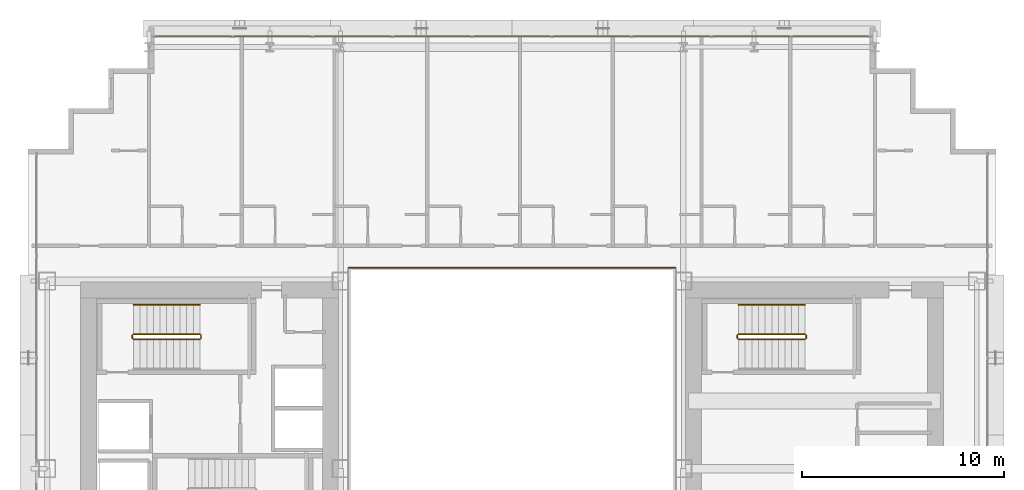
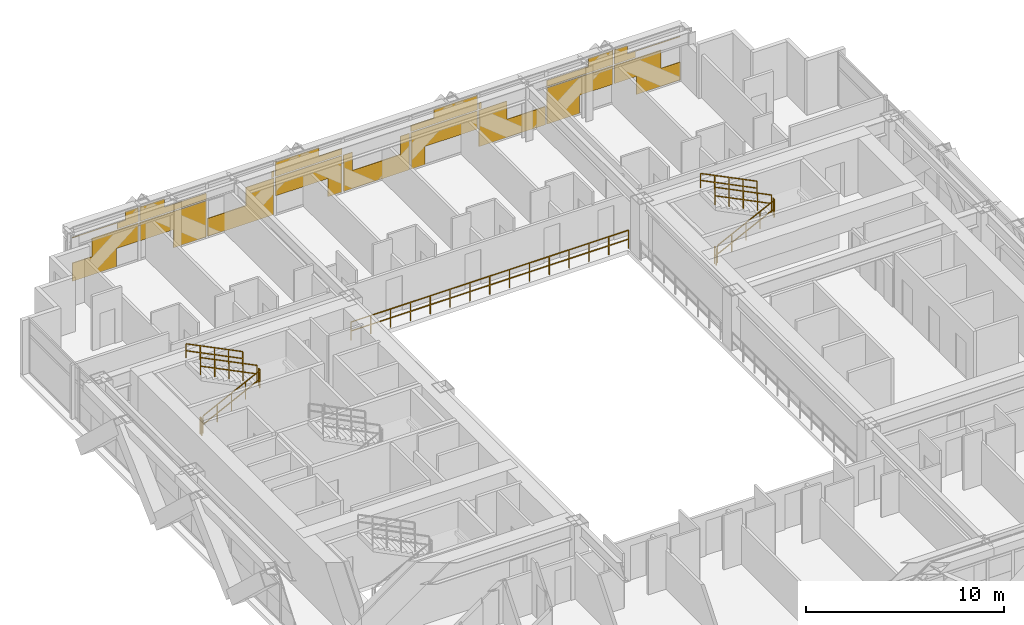
# One storey, part 36 of 36: 11 railings, 1 covering.
"""IFC4 building model written with IfcOpenShell, lengths in metres."""

from ifc_helpers import new_model, si_unit, direction, frame, origin, origin_2d, place, context, subcontext, project, spatial, rectangle, extrude, material, layer, layer_set, type_object, element, save


model = new_model("IFC4")

# Units and contexts
model_context = context("Model", 3, precision=1e-05, world=origin(), true_north=direction((0.0, 1.0)))
body_context = subcontext(model_context, "Body", "Model", "MODEL_VIEW")
ifc_project = project(units=[si_unit("LENGTHUNIT", "METRE"), si_unit("AREAUNIT", "SQUARE_METRE"), si_unit("VOLUMEUNIT", "CUBIC_METRE"), si_unit("PLANEANGLEUNIT", "RADIAN"), si_unit("MASSUNIT", "GRAM", prefix="KILO")], contexts=[model_context])

# Site, building, storey
site_placement = place(None, origin())
site = spatial("IfcSite", under=ifc_project, at=site_placement, CompositionType="ELEMENT")
building_placement = place(site_placement, origin())
building = spatial("IfcBuilding", under=site, at=building_placement, Name="Ocotamira Hotel", CompositionType="ELEMENT")
storey_placement = place(building_placement, frame((0.0, 0.0, 42.0)))
storey = spatial("IfcBuildingStorey", under=building, at=storey_placement, Name="L09", CompositionType="ELEMENT", Elevation=42.0)

# Covering
ifc_material_1 = material(Name="Insulated pale-metal aluminium spandrel panel", Category="aluminium")
ifc_layer = layer(ifc_material_1, 0.044921875)
ifc_layer_set = layer_set([ifc_layer], Name="Insulated pale-metal aluminium spandrel panel")
covering_type = type_object("IfcCoveringType", Name="COV-INFILL-45", PredefinedType="CLADDING", material=ifc_layer_set)
covering_placement = place(storey_placement, origin())
element("IfcCovering", 1, at=covering_placement, inside=storey, type_object=covering_type, Name="L09 Curtain Wall Infill CW-2 CW-L09-N", PredefinedType="CLADDING", context=body_context, shape_type="SweptSolid", body=[
    extrude(rectangle(XDim=2.556396484375, YDim=0.044921875, at=origin_2d()), frame((15.558837890625, 49.580078125, 0.07568359375), z_axis=(0.0, 0.0, 1.0), x_axis=(1.0, 0.0, 0.0)), (0.0, 0.0, 1.0), 1.11767578125),
    extrude(rectangle(XDim=2.7177734375, YDim=0.044921875, at=origin_2d()), frame((16.756103515625, 49.580078125, 1.1943359375), z_axis=(0.0, 0.0, 1.0), x_axis=(1.0, 0.0, 0.0)), (0.0, 0.0, 1.0), 1.11767578125),
    extrude(rectangle(XDim=3.834716796875, YDim=0.044921875, at=origin_2d()), frame((16.19775390625, 49.580078125, 2.7333984375), z_axis=(0.0, 0.0, 1.0), x_axis=(1.0, 0.0, 0.0)), (0.0, 0.0, 1.0), 0.0302734375),
    extrude(rectangle(XDim=1.2255859375, YDim=0.044921875, at=origin_2d()), frame((17.502197265625, 49.580078125, 2.38818359375), z_axis=(0.0, 0.0, 1.0), x_axis=(1.0, 0.0, 0.0)), (0.0, 0.0, 1.0), 0.344482421875),
    extrude(rectangle(XDim=0.754638671875, YDim=0.044921875, at=origin_2d()), frame((17.73779296875, 49.580078125, 2.7646484375), z_axis=(0.0, 0.0, 1.0), x_axis=(1.0, 0.0, 0.0)), (0.0, 0.0, 1.0), 0.509765625),
    extrude(rectangle(XDim=3.87451171875, YDim=0.044921875, at=origin_2d()), frame((20.13330078125, 49.580078125, 1.1943359375), z_axis=(0.0, 0.0, 1.0), x_axis=(1.0, 0.0, 0.0)), (0.0, 0.0, 1.0), 1.11767578125),
    extrude(rectangle(XDim=1.90771484375, YDim=0.044921875, at=origin_2d()), frame((21.11669921875, 49.580078125, 0.07568359375), z_axis=(0.0, 0.0, 1.0), x_axis=(1.0, 0.0, 0.0)), (0.0, 0.0, 1.0), 1.11767578125),
    extrude(rectangle(XDim=3.87451171875, YDim=0.044921875, at=origin_2d()), frame((20.13330078125, 49.580078125, 2.38818359375), z_axis=(0.0, 0.0, 1.0), x_axis=(1.0, 0.0, 0.0)), (0.0, 0.0, 1.0), 0.375732421875),
    extrude(rectangle(XDim=1.443603515625, YDim=0.044921875, at=origin_2d()), frame((18.917724609375, 49.580078125, 2.7646484375), z_axis=(0.0, 0.0, 1.0), x_axis=(1.0, 0.0, 0.0)), (0.0, 0.0, 1.0), 0.509765625),
    extrude(rectangle(XDim=3.87451171875, YDim=0.044921875, at=origin_2d()), frame((24.0888671875, 49.580078125, 0.07568359375), z_axis=(0.0, 0.0, 1.0), x_axis=(1.0, 0.0, 0.0)), (0.0, 0.0, 1.0), 1.11767578125),
    extrude(rectangle(XDim=1.62890625, YDim=0.044921875, at=origin_2d()), frame((25.2119140625, 49.580078125, 1.1943359375), z_axis=(0.0, 0.0, 1.0), x_axis=(1.0, 0.0, 0.0)), (0.0, 0.0, 1.0), 1.11767578125),
    extrude(rectangle(XDim=0.13671875, YDim=0.044921875, at=origin_2d()), frame((25.957763671875, 49.580078125, 2.38818359375), z_axis=(0.0, 0.0, 1.0), x_axis=(1.0, 0.0, 0.0)), (0.0, 0.0, 1.0), 0.375732421875),
    extrude(rectangle(XDim=3.87451171875, YDim=0.044921875, at=origin_2d()), frame((28.04443359375, 49.580078125, 1.1943359375), z_axis=(0.0, 0.0, 1.0), x_axis=(1.0, 0.0, 0.0)), (0.0, 0.0, 1.0), 1.11767578125),
    extrude(rectangle(XDim=0.81884765625, YDim=0.044921875, at=origin_2d()), frame((29.572265625, 49.580078125, 0.07568359375), z_axis=(0.0, 0.0, 1.0), x_axis=(1.0, 0.0, 0.0)), (0.0, 0.0, 1.0), 1.11767578125),
    extrude(rectangle(XDim=3.87451171875, YDim=0.044921875, at=origin_2d()), frame((28.04443359375, 49.580078125, 2.38818359375), z_axis=(0.0, 0.0, 1.0), x_axis=(1.0, 0.0, 0.0)), (0.0, 0.0, 1.0), 0.375732421875),
    extrude(rectangle(XDim=2.532470703125, YDim=0.044921875, at=origin_2d()), frame((27.373291015625, 49.580078125, 2.7646484375), z_axis=(0.0, 0.0, 1.0), x_axis=(1.0, 0.0, 0.0)), (0.0, 0.0, 1.0), 0.509765625),
    extrude(rectangle(XDim=3.87451171875, YDim=0.044921875, at=origin_2d()), frame((32.0, 49.580078125, 0.07568359375), z_axis=(0.0, 0.0, 1.0), x_axis=(1.0, 0.0, 0.0)), (0.0, 0.0, 1.0), 1.11767578125),
    extrude(rectangle(XDim=0.539794921875, YDim=0.044921875, at=origin_2d()), frame((30.332763671875, 49.580078125, 1.1943359375), z_axis=(0.0, 0.0, 1.0), x_axis=(1.0, 0.0, 0.0)), (0.0, 0.0, 1.0), 1.11767578125),
    extrude(rectangle(XDim=0.539794921875, YDim=0.044921875, at=origin_2d()), frame((33.667236328125, 49.580078125, 1.1943359375), z_axis=(0.0, 0.0, 1.0), x_axis=(1.0, 0.0, 0.0)), (0.0, 0.0, 1.0), 1.11767578125),
    extrude(rectangle(XDim=0.81884765625, YDim=0.044921875, at=origin_2d()), frame((34.427734375, 49.580078125, 0.07568359375), z_axis=(0.0, 0.0, 1.0), x_axis=(1.0, 0.0, 0.0)), (0.0, 0.0, 1.0), 1.11767578125),
    extrude(rectangle(XDim=3.87451171875, YDim=0.044921875, at=origin_2d()), frame((35.95556640625, 49.580078125, 1.1943359375), z_axis=(0.0, 0.0, 1.0), x_axis=(1.0, 0.0, 0.0)), (0.0, 0.0, 1.0), 1.11767578125),
    extrude(rectangle(XDim=3.87451171875, YDim=0.044921875, at=origin_2d()), frame((35.95556640625, 49.580078125, 2.38818359375), z_axis=(0.0, 0.0, 1.0), x_axis=(1.0, 0.0, 0.0)), (0.0, 0.0, 1.0), 0.375732421875),
    extrude(rectangle(XDim=2.532470703125, YDim=0.044921875, at=origin_2d()), frame((36.626708984375, 49.580078125, 2.7646484375), z_axis=(0.0, 0.0, 1.0), x_axis=(1.0, 0.0, 0.0)), (0.0, 0.0, 1.0), 0.509765625),
    extrude(rectangle(XDim=3.87451171875, YDim=0.044921875, at=origin_2d()), frame((39.9111328125, 49.580078125, 0.07568359375), z_axis=(0.0, 0.0, 1.0), x_axis=(1.0, 0.0, 0.0)), (0.0, 0.0, 1.0), 1.11767578125),
    extrude(rectangle(XDim=1.62890625, YDim=0.044921875, at=origin_2d()), frame((38.7880859375, 49.580078125, 1.1943359375), z_axis=(0.0, 0.0, 1.0), x_axis=(1.0, 0.0, 0.0)), (0.0, 0.0, 1.0), 1.11767578125),
    extrude(rectangle(XDim=0.13671875, YDim=0.044921875, at=origin_2d()), frame((38.042236328125, 49.580078125, 2.38818359375), z_axis=(0.0, 0.0, 1.0), x_axis=(1.0, 0.0, 0.0)), (0.0, 0.0, 1.0), 0.375732421875),
    extrude(rectangle(XDim=1.90771484375, YDim=0.044921875, at=origin_2d()), frame((42.88330078125, 49.580078125, 0.07568359375), z_axis=(0.0, 0.0, 1.0), x_axis=(1.0, 0.0, 0.0)), (0.0, 0.0, 1.0), 1.11767578125),
    extrude(rectangle(XDim=3.87451171875, YDim=0.044921875, at=origin_2d()), frame((43.86669921875, 49.580078125, 1.1943359375), z_axis=(0.0, 0.0, 1.0), x_axis=(1.0, 0.0, 0.0)), (0.0, 0.0, 1.0), 1.11767578125),
    extrude(rectangle(XDim=3.87451171875, YDim=0.044921875, at=origin_2d()), frame((43.86669921875, 49.580078125, 2.38818359375), z_axis=(0.0, 0.0, 1.0), x_axis=(1.0, 0.0, 0.0)), (0.0, 0.0, 1.0), 0.375732421875),
    extrude(rectangle(XDim=1.443603515625, YDim=0.044921875, at=origin_2d()), frame((45.082275390625, 49.580078125, 2.7646484375), z_axis=(0.0, 0.0, 1.0), x_axis=(1.0, 0.0, 0.0)), (0.0, 0.0, 1.0), 0.509765625),
    extrude(rectangle(XDim=2.7177734375, YDim=0.044921875, at=origin_2d()), frame((47.243896484375, 49.580078125, 1.1943359375), z_axis=(0.0, 0.0, 1.0), x_axis=(1.0, 0.0, 0.0)), (0.0, 0.0, 1.0), 1.11767578125),
    extrude(rectangle(XDim=2.556396484375, YDim=0.044921875, at=origin_2d()), frame((48.441162109375, 49.580078125, 0.07568359375), z_axis=(0.0, 0.0, 1.0), x_axis=(1.0, 0.0, 0.0)), (0.0, 0.0, 1.0), 1.11767578125),
    extrude(rectangle(XDim=1.2255859375, YDim=0.044921875, at=origin_2d()), frame((46.497802734375, 49.580078125, 2.38818359375), z_axis=(0.0, 0.0, 1.0), x_axis=(1.0, 0.0, 0.0)), (0.0, 0.0, 1.0), 0.344482421875),
    extrude(rectangle(XDim=3.834716796875, YDim=0.044921875, at=origin_2d()), frame((47.80224609375, 49.580078125, 2.7333984375), z_axis=(0.0, 0.0, 1.0), x_axis=(1.0, 0.0, 0.0)), (0.0, 0.0, 1.0), 0.0302734375),
    extrude(rectangle(XDim=0.754638671875, YDim=0.044921875, at=origin_2d()), frame((46.26220703125, 49.580078125, 2.7646484375), z_axis=(0.0, 0.0, 1.0), x_axis=(1.0, 0.0, 0.0)), (0.0, 0.0, 1.0), 0.509765625),
])

# Railings
ifc_material_2 = material(Name="Painted steel stair guardrail", Category="steel")
railing_type_1 = type_object("IfcRailingType", Name="RL-EDGE-1150", PredefinedType="GUARDRAIL", material=ifc_material_2)
railing_1_placement = place(storey_placement, frame((40.10009765625, 38.1201171875, 0.0)))
element("IfcRailing", 2, at=railing_1_placement, inside=storey, type_object=railing_type_1, Name="L09 Central Atrium Edge Guardrail N", PredefinedType="GUARDRAIL", context=body_context, shape_type="SweptSolid", body=[
    extrude(rectangle(XDim=0.048095703125, YDim=0.048095703125, at=origin_2d()), frame((0.0, 0.0, 1.1259765625), z_axis=(-1.0, 0.0, 0.0), x_axis=(0.0, -1.0, 0.0)), (0.0, 0.0, 1.0), 16.2001953125),
    extrude(rectangle(XDim=0.048095703125, YDim=0.048095703125, at=origin_2d()), frame((0.0, 0.0, 0.574951171875), z_axis=(-1.0, 0.0, 0.0), x_axis=(0.0, -1.0, 0.0)), (0.0, 0.0, 1.0), 16.2001953125),
    extrude(rectangle(XDim=0.0419921875, YDim=0.0419921875, at=origin_2d()), origin(), (0.0, 0.0, 1.0), 1.101806640625),
    extrude(rectangle(XDim=0.0419921875, YDim=0.0419921875, at=origin_2d()), frame((-1.1572265625, 0.0, 0.0)), (0.0, 0.0, 1.0), 1.101806640625),
    extrude(rectangle(XDim=0.0419921875, YDim=0.0419921875, at=origin_2d()), frame((-2.314208984375, 0.0, 0.0)), (0.0, 0.0, 1.0), 1.101806640625),
    extrude(rectangle(XDim=0.0419921875, YDim=0.0419921875, at=origin_2d()), frame((-3.471435546875, 0.0, 0.0)), (0.0, 0.0, 1.0), 1.101806640625),
    extrude(rectangle(XDim=0.0419921875, YDim=0.0419921875, at=origin_2d()), frame((-4.628662109375, 0.0, 0.0)), (0.0, 0.0, 1.0), 1.101806640625),
    extrude(rectangle(XDim=0.0419921875, YDim=0.0419921875, at=origin_2d()), frame((-5.785888671875, 0.0, 0.0)), (0.0, 0.0, 1.0), 1.101806640625),
    extrude(rectangle(XDim=0.0419921875, YDim=0.0419921875, at=origin_2d()), frame((-6.94287109375, 0.0, 0.0)), (0.0, 0.0, 1.0), 1.101806640625),
    extrude(rectangle(XDim=0.0419921875, YDim=0.0419921875, at=origin_2d()), frame((-8.10009765625, 0.0, 0.0)), (0.0, 0.0, 1.0), 1.101806640625),
    extrude(rectangle(XDim=0.0419921875, YDim=0.0419921875, at=origin_2d()), frame((-9.25732421875, 0.0, 0.0)), (0.0, 0.0, 1.0), 1.101806640625),
    extrude(rectangle(XDim=0.0419921875, YDim=0.0419921875, at=origin_2d()), frame((-10.414306640625, 0.0, 0.0)), (0.0, 0.0, 1.0), 1.101806640625),
    extrude(rectangle(XDim=0.0419921875, YDim=0.0419921875, at=origin_2d()), frame((-11.571533203125, 0.0, 0.0)), (0.0, 0.0, 1.0), 1.101806640625),
    extrude(rectangle(XDim=0.0419921875, YDim=0.0419921875, at=origin_2d()), frame((-12.728759765625, 0.0, 0.0)), (0.0, 0.0, 1.0), 1.101806640625),
    extrude(rectangle(XDim=0.0419921875, YDim=0.0419921875, at=origin_2d()), frame((-13.885986328125, 0.0, 0.0)), (0.0, 0.0, 1.0), 1.101806640625),
    extrude(rectangle(XDim=0.0419921875, YDim=0.0419921875, at=origin_2d()), frame((-15.04296875, 0.0, 0.0)), (0.0, 0.0, 1.0), 1.101806640625),
    extrude(rectangle(XDim=0.0419921875, YDim=0.0419921875, at=origin_2d()), frame((-16.2001953125, 0.0, 0.0)), (0.0, 0.0, 1.0), 1.101806640625),
])
ifc_material_3 = material(Name="Brushed stainless steel handrail", Category="steel")
railing_type_2 = type_object("IfcRailingType", Name="RL-HAND-900", PredefinedType="HANDRAIL", material=ifc_material_3)
for number, where, name in (
    (3, (16.530029296875, 36.280029296875, 2.127197265625), "L09 ST-2 stair handrail 2"),
    (4, (46.530029296875, 36.280029296875, 2.127197265625), "L09 ST-4 stair handrail 2"),
):
    element("IfcRailing", number, at=place(storey_placement, frame(where)), inside=storey, type_object=railing_type_2, Name=name, PredefinedType="HANDRAIL", context=body_context, shape_type="SweptSolid", body=[
        extrude(rectangle(XDim=0.048095703125, YDim=0.048095703125, at=origin_2d()), frame((0.0, 0.0, 0.8759765625), z_axis=(-0.895893744519, 0.0, 0.4442683857), x_axis=(0.0, -1.0, 0.0)), (0.0, 0.0, 1.0), 3.68359375),
        extrude(rectangle(XDim=0.048095703125, YDim=0.048095703125, at=origin_2d()), frame((0.0, 0.0, 0.449951171875), z_axis=(-0.895893744519, 0.0, 0.4442683857), x_axis=(0.0, -1.0, 0.0)), (0.0, 0.0, 1.0), 3.68359375),
        extrude(rectangle(XDim=0.0419921875, YDim=0.0419921875, at=origin_2d()), origin(), (0.0, 0.0, 1.0), 0.851806640625),
        extrude(rectangle(XDim=0.0419921875, YDim=0.0419921875, at=origin_2d()), frame((-0.824951171875, 0.0, 0.4091796875)), (0.0, 0.0, 1.0), 0.851806640625),
        extrude(rectangle(XDim=0.0419921875, YDim=0.0419921875, at=origin_2d()), frame((-1.64990234375, 0.0, 0.818359375)), (0.0, 0.0, 1.0), 0.851806640625),
        extrude(rectangle(XDim=0.0419921875, YDim=0.0419921875, at=origin_2d()), frame((-2.47509765625, 0.0, 1.227294921875)), (0.0, 0.0, 1.0), 0.851806640625),
        extrude(rectangle(XDim=0.0419921875, YDim=0.0419921875, at=origin_2d()), frame((-3.300048828125, 0.0, 1.636474609375)), (0.0, 0.0, 1.0), 0.851806640625),
    ])
railing_type_3 = type_object("IfcRailingType", Name="RL-STAIR-1100", PredefinedType="GUARDRAIL", material=ifc_material_2)
railing_2_placement = place(storey_placement, frame((13.22998046875, 34.56005859375, 0.16357421875)))
element("IfcRailing", 5, at=railing_2_placement, inside=storey, type_object=railing_type_3, Name="L09 ST-2 stair guard 1", PredefinedType="GUARDRAIL", context=body_context, shape_type="SweptSolid", body=[
    extrude(rectangle(XDim=0.048095703125, YDim=0.048095703125, at=origin_2d()), frame((0.0, 0.0, 1.076171875), z_axis=(0.895893744519, 0.0, 0.4442683857), x_axis=(0.0, 1.0, 0.0)), (0.0, 0.0, 1.0), 3.68359375),
    extrude(rectangle(XDim=0.048095703125, YDim=0.048095703125, at=origin_2d()), frame((0.0, 0.0, 0.550048828125), z_axis=(0.895893744519, 0.0, 0.4442683857), x_axis=(0.0, 1.0, 0.0)), (0.0, 0.0, 1.0), 3.68359375),
    extrude(rectangle(XDim=0.0419921875, YDim=0.0419921875, at=origin_2d()), origin(), (0.0, 0.0, 1.0), 1.052001953125),
    extrude(rectangle(XDim=0.0419921875, YDim=0.0419921875, at=origin_2d()), frame((0.824951171875, 0.0, 0.4091796875)), (0.0, 0.0, 1.0), 1.052001953125),
    extrude(rectangle(XDim=0.0419921875, YDim=0.0419921875, at=origin_2d()), frame((1.64990234375, 0.0, 0.818359375)), (0.0, 0.0, 1.0), 1.052001953125),
    extrude(rectangle(XDim=0.0419921875, YDim=0.0419921875, at=origin_2d()), frame((2.47509765625, 0.0, 1.227294921875)), (0.0, 0.0, 1.0), 1.052001953125),
    extrude(rectangle(XDim=0.0419921875, YDim=0.0419921875, at=origin_2d()), frame((3.300048828125, 0.0, 1.636474609375)), (0.0, 0.0, 1.0), 1.052001953125),
])
railing_3_placement = place(storey_placement, frame((16.580078125, 34.610107421875, 1.800048828125)))
element("IfcRailing", 6, at=railing_3_placement, inside=storey, type_object=railing_type_3, Name="L09 ST-2 stair guard 2", PredefinedType="GUARDRAIL", context=body_context, shape_type="SweptSolid", body=[
    extrude(rectangle(XDim=0.048095703125, YDim=0.048095703125, at=origin_2d()), frame((0.0, 0.0, 1.076171875), z_axis=(0.0, 1.0, 0.0), x_axis=(-1.0, 0.0, 0.0)), (0.0, 0.0, 1.0), 0.159912109375),
    extrude(rectangle(XDim=0.048095703125, YDim=0.048095703125, at=origin_2d()), frame((0.0, 0.0, 0.550048828125), z_axis=(0.0, 1.0, 0.0), x_axis=(-1.0, 0.0, 0.0)), (0.0, 0.0, 1.0), 0.159912109375),
    extrude(rectangle(XDim=0.0419921875, YDim=0.0419921875, at=origin_2d()), origin(), (0.0, 0.0, 1.0), 1.052001953125),
    extrude(rectangle(XDim=0.0419921875, YDim=0.0419921875, at=origin_2d()), frame((0.0, 0.159912109375, 0.0)), (0.0, 0.0, 1.0), 1.052001953125),
])
railing_4_placement = place(storey_placement, frame((16.530029296875, 34.820068359375, 1.963623046875)))
element("IfcRailing", 7, at=railing_4_placement, inside=storey, type_object=railing_type_3, Name="L09 ST-2 stair guard 3", PredefinedType="GUARDRAIL", context=body_context, shape_type="SweptSolid", body=[
    extrude(rectangle(XDim=0.048095703125, YDim=0.048095703125, at=origin_2d()), frame((0.0, 0.0, 1.076171875), z_axis=(-0.895893744519, 0.0, 0.4442683857), x_axis=(0.0, -1.0, 0.0)), (0.0, 0.0, 1.0), 3.68359375),
    extrude(rectangle(XDim=0.048095703125, YDim=0.048095703125, at=origin_2d()), frame((0.0, 0.0, 0.550048828125), z_axis=(-0.895893744519, 0.0, 0.4442683857), x_axis=(0.0, -1.0, 0.0)), (0.0, 0.0, 1.0), 3.68359375),
    extrude(rectangle(XDim=0.0419921875, YDim=0.0419921875, at=origin_2d()), origin(), (0.0, 0.0, 1.0), 1.052001953125),
    extrude(rectangle(XDim=0.0419921875, YDim=0.0419921875, at=origin_2d()), frame((-0.824951171875, 0.0, 0.4091796875)), (0.0, 0.0, 1.0), 1.052001953125),
    extrude(rectangle(XDim=0.0419921875, YDim=0.0419921875, at=origin_2d()), frame((-1.64990234375, 0.0, 0.818359375)), (0.0, 0.0, 1.0), 1.052001953125),
    extrude(rectangle(XDim=0.0419921875, YDim=0.0419921875, at=origin_2d()), frame((-2.47509765625, 0.0, 1.227294921875)), (0.0, 0.0, 1.0), 1.052001953125),
    extrude(rectangle(XDim=0.0419921875, YDim=0.0419921875, at=origin_2d()), frame((-3.300048828125, 0.0, 1.636474609375)), (0.0, 0.0, 1.0), 1.052001953125),
])
railing_5_placement = place(storey_placement, frame((13.179931640625, 34.610107421875, 0.0)))
element("IfcRailing", 8, at=railing_5_placement, inside=storey, type_object=railing_type_3, Name="L09 ST-2 stair guard 4", PredefinedType="GUARDRAIL", context=body_context, shape_type="SweptSolid", body=[
    extrude(rectangle(XDim=0.048095703125, YDim=0.048095703125, at=origin_2d()), frame((0.0, 0.0, 1.076171875), z_axis=(0.0, 1.0, 0.0), x_axis=(-1.0, 0.0, 0.0)), (0.0, 0.0, 1.0), 0.159912109375),
    extrude(rectangle(XDim=0.048095703125, YDim=0.048095703125, at=origin_2d()), frame((0.0, 0.0, 0.550048828125), z_axis=(0.0, 1.0, 0.0), x_axis=(-1.0, 0.0, 0.0)), (0.0, 0.0, 1.0), 0.159912109375),
    extrude(rectangle(XDim=0.0419921875, YDim=0.0419921875, at=origin_2d()), origin(), (0.0, 0.0, 1.0), 1.052001953125),
    extrude(rectangle(XDim=0.0419921875, YDim=0.0419921875, at=origin_2d()), frame((0.0, 0.159912109375, 0.0)), (0.0, 0.0, 1.0), 1.052001953125),
])
railing_6_placement = place(storey_placement, frame((43.22998046875, 34.56005859375, 0.16357421875)))
element("IfcRailing", 9, at=railing_6_placement, inside=storey, type_object=railing_type_3, Name="L09 ST-4 stair guard 1", PredefinedType="GUARDRAIL", context=body_context, shape_type="SweptSolid", body=[
    extrude(rectangle(XDim=0.048095703125, YDim=0.048095703125, at=origin_2d()), frame((0.0, 0.0, 1.076171875), z_axis=(0.895893744519, 0.0, 0.4442683857), x_axis=(0.0, 1.0, 0.0)), (0.0, 0.0, 1.0), 3.68359375),
    extrude(rectangle(XDim=0.048095703125, YDim=0.048095703125, at=origin_2d()), frame((0.0, 0.0, 0.550048828125), z_axis=(0.895893744519, 0.0, 0.4442683857), x_axis=(0.0, 1.0, 0.0)), (0.0, 0.0, 1.0), 3.68359375),
    extrude(rectangle(XDim=0.0419921875, YDim=0.0419921875, at=origin_2d()), origin(), (0.0, 0.0, 1.0), 1.052001953125),
    extrude(rectangle(XDim=0.0419921875, YDim=0.0419921875, at=origin_2d()), frame((0.824951171875, 0.0, 0.4091796875)), (0.0, 0.0, 1.0), 1.052001953125),
    extrude(rectangle(XDim=0.0419921875, YDim=0.0419921875, at=origin_2d()), frame((1.64990234375, 0.0, 0.818359375)), (0.0, 0.0, 1.0), 1.052001953125),
    extrude(rectangle(XDim=0.0419921875, YDim=0.0419921875, at=origin_2d()), frame((2.47509765625, 0.0, 1.227294921875)), (0.0, 0.0, 1.0), 1.052001953125),
    extrude(rectangle(XDim=0.0419921875, YDim=0.0419921875, at=origin_2d()), frame((3.300048828125, 0.0, 1.636474609375)), (0.0, 0.0, 1.0), 1.052001953125),
])
railing_7_placement = place(storey_placement, frame((46.580078125, 34.610107421875, 1.800048828125)))
element("IfcRailing", 10, at=railing_7_placement, inside=storey, type_object=railing_type_3, Name="L09 ST-4 stair guard 2", PredefinedType="GUARDRAIL", context=body_context, shape_type="SweptSolid", body=[
    extrude(rectangle(XDim=0.048095703125, YDim=0.048095703125, at=origin_2d()), frame((0.0, 0.0, 1.076171875), z_axis=(0.0, 1.0, 0.0), x_axis=(-1.0, 0.0, 0.0)), (0.0, 0.0, 1.0), 0.159912109375),
    extrude(rectangle(XDim=0.048095703125, YDim=0.048095703125, at=origin_2d()), frame((0.0, 0.0, 0.550048828125), z_axis=(0.0, 1.0, 0.0), x_axis=(-1.0, 0.0, 0.0)), (0.0, 0.0, 1.0), 0.159912109375),
    extrude(rectangle(XDim=0.0419921875, YDim=0.0419921875, at=origin_2d()), origin(), (0.0, 0.0, 1.0), 1.052001953125),
    extrude(rectangle(XDim=0.0419921875, YDim=0.0419921875, at=origin_2d()), frame((0.0, 0.159912109375, 0.0)), (0.0, 0.0, 1.0), 1.052001953125),
])
railing_8_placement = place(storey_placement, frame((46.530029296875, 34.820068359375, 1.963623046875)))
element("IfcRailing", 11, at=railing_8_placement, inside=storey, type_object=railing_type_3, Name="L09 ST-4 stair guard 3", PredefinedType="GUARDRAIL", context=body_context, shape_type="SweptSolid", body=[
    extrude(rectangle(XDim=0.048095703125, YDim=0.048095703125, at=origin_2d()), frame((0.0, 0.0, 1.076171875), z_axis=(-0.895893744519, 0.0, 0.4442683857), x_axis=(0.0, -1.0, 0.0)), (0.0, 0.0, 1.0), 3.68359375),
    extrude(rectangle(XDim=0.048095703125, YDim=0.048095703125, at=origin_2d()), frame((0.0, 0.0, 0.550048828125), z_axis=(-0.895893744519, 0.0, 0.4442683857), x_axis=(0.0, -1.0, 0.0)), (0.0, 0.0, 1.0), 3.68359375),
    extrude(rectangle(XDim=0.0419921875, YDim=0.0419921875, at=origin_2d()), origin(), (0.0, 0.0, 1.0), 1.052001953125),
    extrude(rectangle(XDim=0.0419921875, YDim=0.0419921875, at=origin_2d()), frame((-0.824951171875, 0.0, 0.4091796875)), (0.0, 0.0, 1.0), 1.052001953125),
    extrude(rectangle(XDim=0.0419921875, YDim=0.0419921875, at=origin_2d()), frame((-1.64990234375, 0.0, 0.818359375)), (0.0, 0.0, 1.0), 1.052001953125),
    extrude(rectangle(XDim=0.0419921875, YDim=0.0419921875, at=origin_2d()), frame((-2.47509765625, 0.0, 1.227294921875)), (0.0, 0.0, 1.0), 1.052001953125),
    extrude(rectangle(XDim=0.0419921875, YDim=0.0419921875, at=origin_2d()), frame((-3.300048828125, 0.0, 1.636474609375)), (0.0, 0.0, 1.0), 1.052001953125),
])
railing_9_placement = place(storey_placement, frame((43.179931640625, 34.610107421875, 0.0)))
element("IfcRailing", 12, at=railing_9_placement, inside=storey, type_object=railing_type_3, Name="L09 ST-4 stair guard 4", PredefinedType="GUARDRAIL", context=body_context, shape_type="SweptSolid", body=[
    extrude(rectangle(XDim=0.048095703125, YDim=0.048095703125, at=origin_2d()), frame((0.0, 0.0, 1.076171875), z_axis=(0.0, 1.0, 0.0), x_axis=(-1.0, 0.0, 0.0)), (0.0, 0.0, 1.0), 0.159912109375),
    extrude(rectangle(XDim=0.048095703125, YDim=0.048095703125, at=origin_2d()), frame((0.0, 0.0, 0.550048828125), z_axis=(0.0, 1.0, 0.0), x_axis=(-1.0, 0.0, 0.0)), (0.0, 0.0, 1.0), 0.159912109375),
    extrude(rectangle(XDim=0.0419921875, YDim=0.0419921875, at=origin_2d()), origin(), (0.0, 0.0, 1.0), 1.052001953125),
    extrude(rectangle(XDim=0.0419921875, YDim=0.0419921875, at=origin_2d()), frame((0.0, 0.159912109375, 0.0)), (0.0, 0.0, 1.0), 1.052001953125),
])

save(model, "model.ifc")
